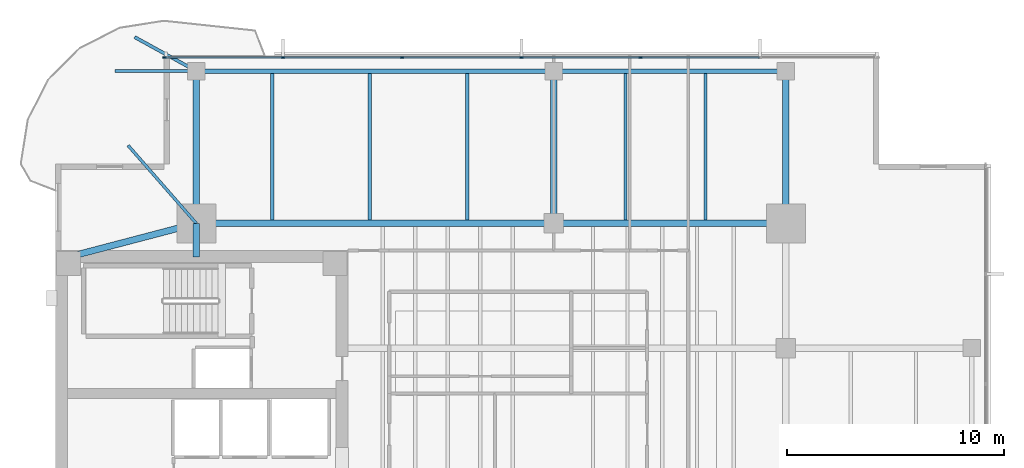
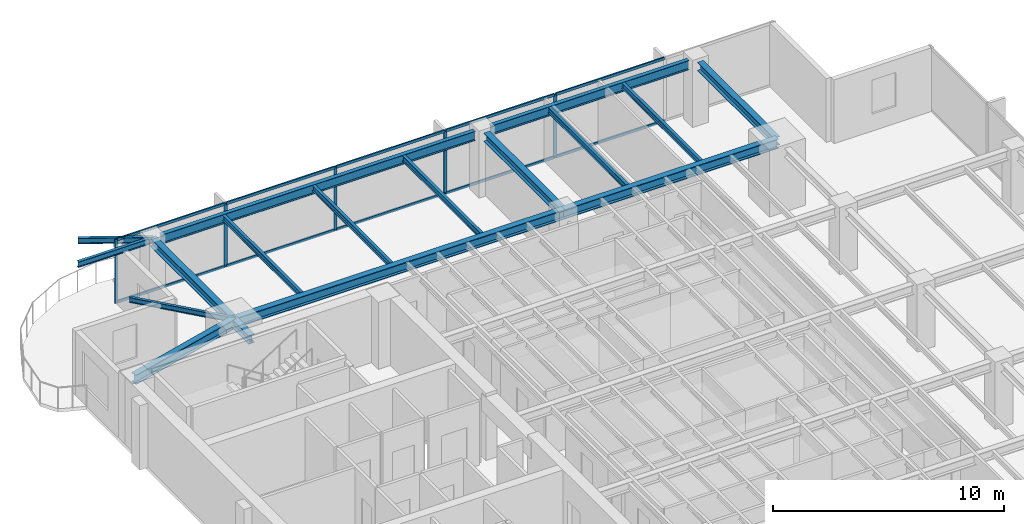
# One storey, part 5 of 14: 17 beams, 15 members, 1 element without a shape of its own.
"""IFC4 building model written with IfcOpenShell, lengths in metres."""

from ifc_helpers import new_model, si_unit, direction, frame, origin, origin_2d, place, context, subcontext, project, spatial, rectangle, i_section, extrude, material, layer, layer_set, material_profile, profile_set, type_object, element, aggregate, save


model = new_model("IFC4")

# Units and contexts
model_context = context("Model", 3, precision=1e-05, world=origin(), true_north=direction((0.0, 1.0)))
body_context = subcontext(model_context, "Body", "Model", "MODEL_VIEW")
ifc_project = project(units=[si_unit("LENGTHUNIT", "METRE"), si_unit("AREAUNIT", "SQUARE_METRE"), si_unit("VOLUMEUNIT", "CUBIC_METRE"), si_unit("PLANEANGLEUNIT", "RADIAN"), si_unit("MASSUNIT", "GRAM", prefix="KILO")], contexts=[model_context])

# Site, building, storey
site_placement = place(None, origin())
site = spatial("IfcSite", under=ifc_project, at=site_placement, CompositionType="ELEMENT")
building_placement = place(site_placement, origin())
building = spatial("IfcBuilding", under=site, at=building_placement, Name="Kinhvarn Gate Tower", CompositionType="ELEMENT")
storey_placement = place(building_placement, frame((0.0, 0.0, 212.89990234375)))
storey = spatial("IfcBuildingStorey", under=building, at=storey_placement, Name="L56", CompositionType="ELEMENT", Elevation=212.89990234375)

# Curtain wall, members
ifc_material_1 = material(Name="Anodised aluminium AW-6063", Category="aluminium")
ifc_layer = layer(ifc_material_1, 0.179931640625)
ifc_layer_set = layer_set([ifc_layer], Name="Anodised aluminium AW-6063")
curtain_wall_type = type_object("IfcCurtainWallType", Name="CW-SYS-3", PredefinedType="NOTDEFINED", material=ifc_layer_set)
curtain_wall_placement = place(storey_placement, origin())
curtain_wall = element("IfcCurtainWall", 1, at=curtain_wall_placement, inside=storey, type_object=curtain_wall_type, Name="Curtain Wall CW3 (L56)", PredefinedType="NOTDEFINED")
ifc_material_profile_1 = material_profile(ifc_material_1, rectangle(XDim=0.06494140625, YDim=0.159912109375, at=origin_2d()), Name="ALU 65x160")
ifc_profile_set_1 = profile_set([ifc_material_profile_1], Name="Anodised aluminium AW-6063")
member_type_1 = type_object("IfcMemberType", Name="CW-MUL-160", PredefinedType="MULLION", material=ifc_profile_set_1)
member_1_placement = place(storey_placement, frame((31.5, 45.409912109375, 0.0), z_axis=(0.0, 0.0, 1.0), x_axis=(0.0, -1.0, 0.0)))
member_1 = element("IfcMember", 2, at=member_1_placement, type_object=member_type_1, Name="CW3 mullion 3", PredefinedType="MULLION", context=body_context, shape_type="SweptSolid", body=[
    extrude(rectangle(XDim=0.06494140625, YDim=0.159912109375, at=origin_2d()), origin(), (0.0, 0.0, 1.0), 3.3701171875),
])
member_2_placement = place(storey_placement, frame((26.0, 45.409912109375, 0.0), z_axis=(0.0, 0.0, 1.0), x_axis=(0.0, -1.0, 0.0)))
member_2 = element("IfcMember", 3, at=member_2_placement, type_object=member_type_1, Name="CW3 mullion 4", PredefinedType="MULLION", context=body_context, shape_type="SweptSolid", body=[
    extrude(rectangle(XDim=0.06494140625, YDim=0.159912109375, at=origin_2d()), origin(), (0.0, 0.0, 1.0), 3.3701171875),
])
member_3_placement = place(storey_placement, frame((20.5, 45.409912109375, 0.0), z_axis=(0.0, 0.0, 1.0), x_axis=(0.0, -1.0, 0.0)))
member_3 = element("IfcMember", 4, at=member_3_placement, type_object=member_type_1, Name="CW3 mullion 5", PredefinedType="MULLION", context=body_context, shape_type="SweptSolid", body=[
    extrude(rectangle(XDim=0.06494140625, YDim=0.159912109375, at=origin_2d()), origin(), (0.0, 0.0, 1.0), 3.3701171875),
])
member_4_placement = place(storey_placement, frame((15.0, 45.409912109375, 0.0), z_axis=(0.0, 0.0, 1.0), x_axis=(0.0, -1.0, 0.0)))
member_4 = element("IfcMember", 5, at=member_4_placement, type_object=member_type_1, Name="CW3 mullion 6", PredefinedType="MULLION", context=body_context, shape_type="SweptSolid", body=[
    extrude(rectangle(XDim=0.06494140625, YDim=0.159912109375, at=origin_2d()), origin(), (0.0, 0.0, 1.0), 3.3701171875),
])
member_5_placement = place(storey_placement, frame((9.532470703125, 45.409912109375, 0.0), z_axis=(0.0, 0.0, 1.0), x_axis=(0.0, -1.0, 0.0)))
member_5 = element("IfcMember", 6, at=member_5_placement, type_object=member_type_1, Name="CW3 mullion 7", PredefinedType="MULLION", context=body_context, shape_type="SweptSolid", body=[
    extrude(rectangle(XDim=0.06494140625, YDim=0.159912109375, at=origin_2d()), origin(), (0.0, 0.0, 1.0), 3.3701171875),
])
ifc_material_profile_2 = material_profile(ifc_material_1, rectangle(XDim=0.070068359375, YDim=0.139892578125, at=origin_2d()), Name="ALU 70x140")
ifc_profile_set_2 = profile_set([ifc_material_profile_2], Name="Anodised aluminium AW-6063")
member_type_2 = type_object("IfcMemberType", Name="CW-TRN-140", PredefinedType="USERDEFINED", material=ifc_profile_set_2)
member_6_placement = place(storey_placement, frame((36.967529296875, 45.409912109375, 0.03515625), z_axis=(-1.0, 0.0, 0.0), x_axis=(0.0, -1.0, 0.0)))
member_6 = element("IfcMember", 7, at=member_6_placement, type_object=member_type_2, Name="CW3 transom 2.1", ObjectType="TRANSOM", PredefinedType="USERDEFINED", context=body_context, shape_type="SweptSolid", body=[
    extrude(rectangle(XDim=0.070068359375, YDim=0.139892578125, at=origin_2d()), origin(), (0.0, 0.0, 1.0), 5.43505859375),
])
member_7_placement = place(storey_placement, frame((36.967529296875, 45.409912109375, 3.335205078125), z_axis=(-1.0, 0.0, 0.0), x_axis=(0.0, -1.0, 0.0)))
member_7 = element("IfcMember", 8, at=member_7_placement, type_object=member_type_2, Name="CW3 transom 2.2", ObjectType="TRANSOM", PredefinedType="USERDEFINED", context=body_context, shape_type="SweptSolid", body=[
    extrude(rectangle(XDim=0.070068359375, YDim=0.139892578125, at=origin_2d()), origin(), (0.0, 0.0, 1.0), 5.43505859375),
])
member_8_placement = place(storey_placement, frame((31.467529296875, 45.409912109375, 0.03515625), z_axis=(-1.0, 0.0, 0.0), x_axis=(0.0, -1.0, 0.0)))
member_8 = element("IfcMember", 9, at=member_8_placement, type_object=member_type_2, Name="CW3 transom 3.1", ObjectType="TRANSOM", PredefinedType="USERDEFINED", context=body_context, shape_type="SweptSolid", body=[
    extrude(rectangle(XDim=0.070068359375, YDim=0.139892578125, at=origin_2d()), origin(), (0.0, 0.0, 1.0), 5.43505859375),
])
member_9_placement = place(storey_placement, frame((31.467529296875, 45.409912109375, 3.335205078125), z_axis=(-1.0, 0.0, 0.0), x_axis=(0.0, -1.0, 0.0)))
member_9 = element("IfcMember", 10, at=member_9_placement, type_object=member_type_2, Name="CW3 transom 3.2", ObjectType="TRANSOM", PredefinedType="USERDEFINED", context=body_context, shape_type="SweptSolid", body=[
    extrude(rectangle(XDim=0.070068359375, YDim=0.139892578125, at=origin_2d()), origin(), (0.0, 0.0, 1.0), 5.43505859375),
])
member_10_placement = place(storey_placement, frame((25.967529296875, 45.409912109375, 0.03515625), z_axis=(-1.0, 0.0, 0.0), x_axis=(0.0, -1.0, 0.0)))
member_10 = element("IfcMember", 11, at=member_10_placement, type_object=member_type_2, Name="CW3 transom 4.1", ObjectType="TRANSOM", PredefinedType="USERDEFINED", context=body_context, shape_type="SweptSolid", body=[
    extrude(rectangle(XDim=0.070068359375, YDim=0.139892578125, at=origin_2d()), origin(), (0.0, 0.0, 1.0), 5.43505859375),
])
member_11_placement = place(storey_placement, frame((25.967529296875, 45.409912109375, 3.335205078125), z_axis=(-1.0, 0.0, 0.0), x_axis=(0.0, -1.0, 0.0)))
member_11 = element("IfcMember", 12, at=member_11_placement, type_object=member_type_2, Name="CW3 transom 4.2", ObjectType="TRANSOM", PredefinedType="USERDEFINED", context=body_context, shape_type="SweptSolid", body=[
    extrude(rectangle(XDim=0.070068359375, YDim=0.139892578125, at=origin_2d()), origin(), (0.0, 0.0, 1.0), 5.43505859375),
])
member_12_placement = place(storey_placement, frame((20.467529296875, 45.409912109375, 0.03515625), z_axis=(-1.0, 0.0, 0.0), x_axis=(0.0, -1.0, 0.0)))
member_12 = element("IfcMember", 13, at=member_12_placement, type_object=member_type_2, Name="CW3 transom 5.1", ObjectType="TRANSOM", PredefinedType="USERDEFINED", context=body_context, shape_type="SweptSolid", body=[
    extrude(rectangle(XDim=0.070068359375, YDim=0.139892578125, at=origin_2d()), origin(), (0.0, 0.0, 1.0), 5.43505859375),
])
member_13_placement = place(storey_placement, frame((20.467529296875, 45.409912109375, 3.335205078125), z_axis=(-1.0, 0.0, 0.0), x_axis=(0.0, -1.0, 0.0)))
member_13 = element("IfcMember", 14, at=member_13_placement, type_object=member_type_2, Name="CW3 transom 5.2", ObjectType="TRANSOM", PredefinedType="USERDEFINED", context=body_context, shape_type="SweptSolid", body=[
    extrude(rectangle(XDim=0.070068359375, YDim=0.139892578125, at=origin_2d()), origin(), (0.0, 0.0, 1.0), 5.43505859375),
])
member_14_placement = place(storey_placement, frame((14.967529296875, 45.409912109375, 0.03515625), z_axis=(-1.0, 0.0, 0.0), x_axis=(0.0, -1.0, 0.0)))
member_14 = element("IfcMember", 15, at=member_14_placement, type_object=member_type_2, Name="CW3 transom 6.1", ObjectType="TRANSOM", PredefinedType="USERDEFINED", context=body_context, shape_type="SweptSolid", body=[
    extrude(rectangle(XDim=0.070068359375, YDim=0.139892578125, at=origin_2d()), origin(), (0.0, 0.0, 1.0), 5.402587890625),
])
member_15_placement = place(storey_placement, frame((14.967529296875, 45.409912109375, 3.335205078125), z_axis=(-1.0, 0.0, 0.0), x_axis=(0.0, -1.0, 0.0)))
member_15 = element("IfcMember", 16, at=member_15_placement, type_object=member_type_2, Name="CW3 transom 6.2", ObjectType="TRANSOM", PredefinedType="USERDEFINED", context=body_context, shape_type="SweptSolid", body=[
    extrude(rectangle(XDim=0.070068359375, YDim=0.139892578125, at=origin_2d()), origin(), (0.0, 0.0, 1.0), 5.402587890625),
])
aggregate(curtain_wall, [member_1, member_2, member_3, member_4, member_5, member_6, member_7, member_8, member_9, member_10, member_11, member_12, member_13, member_14, member_15])

# Beams
ifc_material_2 = material(Name="Steel S355", Category="steel")
ifc_material_profile_3 = material_profile(ifc_material_2, i_section(OverallWidth=0.300048828125, OverallDepth=0.449951171875, WebThickness=0.013916015625, FlangeThickness=0.02587890625, at=origin_2d()), Name="HEB 450")
ifc_profile_set_3 = profile_set([ifc_material_profile_3], Name="Steel S355")
beam_type_1 = type_object("IfcBeamType", Name="STL-HEB450", PredefinedType="BEAM", material=ifc_profile_set_3)
beam_1_placement = place(storey_placement, frame((11.0, 36.199951171875, 3.14501953125), z_axis=(0.0, 1.0, 0.0), x_axis=(-1.0, 0.0, 0.0)))
element("IfcBeam", 17, at=beam_1_placement, inside=storey, type_object=beam_type_1, Name="Floor Beam PG-13 (L56 MCW-CN)", PredefinedType="BEAM", context=body_context, shape_type="SweptSolid", body=[
    extrude(i_section(OverallWidth=0.300048828125, OverallDepth=0.449951171875, WebThickness=0.013916015625, FlangeThickness=0.02587890625, at=origin_2d()), origin(), (0.0, 0.0, 1.0), 1.550048828125),
])
beam_2_placement = place(storey_placement, frame((11.0, 37.75, 3.14501953125), z_axis=(0.0, 1.0, 0.0), x_axis=(-1.0, 0.0, 0.0)))
element("IfcBeam", 18, at=beam_2_placement, inside=storey, type_object=beam_type_1, Name="Floor Beam PG-13 (L56 MCW-N)", PredefinedType="BEAM", context=body_context, shape_type="SweptSolid", body=[
    extrude(i_section(OverallWidth=0.300048828125, OverallDepth=0.449951171875, WebThickness=0.013916015625, FlangeThickness=0.02587890625, at=origin_2d()), origin(), (0.0, 0.0, 1.0), 7.030029296875),
])
for number, where, z_axis, x_axis, name in (
    (19, (27.5, 37.75, 3.14501953125), (0.0, 1.0, 0.0), (-1.0, 0.0, 0.0), "Floor Beam PG-13 (L56 SP27-N-TIE)"),
    (20, (38.199951171875, 37.75, 3.14501953125), (0.0, 1.0, 0.0), (-1.0, 0.0, 0.0), "Floor Beam PG-13 (L56 MCE-N)"),
):
    element("IfcBeam", number, at=place(storey_placement, frame(where, z_axis=z_axis, x_axis=x_axis)), inside=storey, type_object=beam_type_1, Name=name, PredefinedType="BEAM", context=body_context, shape_type="SweptSolid", body=[
        extrude(i_section(OverallWidth=0.300048828125, OverallDepth=0.449951171875, WebThickness=0.013916015625, FlangeThickness=0.02587890625, at=origin_2d()), origin(), (0.0, 0.0, 1.0), 6.64501953125),
    ])
ifc_material_profile_4 = material_profile(ifc_material_2, i_section(OverallWidth=0.300048828125, OverallDepth=0.5, WebThickness=0.014404296875, FlangeThickness=0.028076171875, at=origin_2d()), Name="HEB 500")
ifc_profile_set_4 = profile_set([ifc_material_profile_4], Name="Steel S355")
beam_type_2 = type_object("IfcBeamType", Name="STL-HEB500", PredefinedType="BEAM", material=ifc_profile_set_4)
beam_3_placement = place(storey_placement, frame((11.0, 37.75, 3.1201171875), z_axis=(1.0, 0.0, 0.0), x_axis=(0.0, 1.0, 0.0)))
element("IfcBeam", 21, at=beam_3_placement, inside=storey, type_object=beam_type_2, Name="Floor Beam PG-14 (L56 MG-N1)", PredefinedType="BEAM", context=body_context, shape_type="SweptSolid", body=[
    extrude(i_section(OverallWidth=0.300048828125, OverallDepth=0.5, WebThickness=0.014404296875, FlangeThickness=0.028076171875, at=origin_2d()), origin(), (0.0, 0.0, 1.0), 16.5),
])
beam_4_placement = place(storey_placement, frame((27.5, 37.75, 3.1201171875), z_axis=(1.0, 0.0, 0.0), x_axis=(0.0, 1.0, 0.0)))
element("IfcBeam", 22, at=beam_4_placement, inside=storey, type_object=beam_type_2, Name="Floor Beam PG-14 (L56 MG-N2)", PredefinedType="BEAM", context=body_context, shape_type="SweptSolid", body=[
    extrude(i_section(OverallWidth=0.300048828125, OverallDepth=0.5, WebThickness=0.014404296875, FlangeThickness=0.028076171875, at=origin_2d()), origin(), (0.0, 0.0, 1.0), 10.699951171875),
])
beam_5_placement = place(storey_placement, frame((5.10009765625, 36.199951171875, 3.1201171875), z_axis=(0.967177623957, 0.254101246979, 0.0), x_axis=(-0.254101246979, 0.967177623957, 0.0)))
element("IfcBeam", 23, at=beam_5_placement, inside=storey, type_object=beam_type_2, Name="Floor Beam PG-14 (L56 MG-NW-DIAG)", PredefinedType="BEAM", context=body_context, shape_type="SweptSolid", body=[
    extrude(i_section(OverallWidth=0.300048828125, OverallDepth=0.5, WebThickness=0.014404296875, FlangeThickness=0.028076171875, at=origin_2d()), origin(), (0.0, 0.0, 1.0), 6.10009765625),
])
ifc_material_profile_5 = material_profile(ifc_material_2, i_section(OverallWidth=0.135009765625, OverallDepth=0.27001953125, WebThickness=0.006591796875, FlangeThickness=0.01025390625, at=origin_2d()), Name="IPE 270")
ifc_profile_set_5 = profile_set([ifc_material_profile_5], Name="Steel S355")
beam_type_3 = type_object("IfcBeamType", Name="STL-IPE270", PredefinedType="JOIST", material=ifc_profile_set_5)
beam_6_placement = place(storey_placement, frame((11.0, 37.75, 3.235107421875), z_axis=(-0.658482928045, 0.752595664001, 0.0), x_axis=(-0.752595664001, -0.658482928045, 0.0)))
element("IfcBeam", 24, at=beam_6_placement, inside=storey, type_object=beam_type_3, Name="Floor Joist SB-01 (L56 BAL-B3-L57)", PredefinedType="JOIST", context=body_context, shape_type="SweptSolid", body=[
    extrude(i_section(OverallWidth=0.135009765625, OverallDepth=0.27001953125, WebThickness=0.006591796875, FlangeThickness=0.01025390625, at=origin_2d()), origin(), (0.0, 0.0, 1.0), 4.78369140625),
])
ifc_material_profile_6 = material_profile(ifc_material_2, i_section(OverallWidth=0.14990234375, OverallDepth=0.300048828125, WebThickness=0.007080078125, FlangeThickness=0.0107421875, at=origin_2d()), Name="IPE 300")
ifc_profile_set_6 = profile_set([ifc_material_profile_6], Name="Steel S355")
beam_type_4 = type_object("IfcBeamType", Name="STL-IPE300", PredefinedType="JOIST", material=ifc_profile_set_6)
for number, where, z_axis, x_axis, name in (
    (25, (14.5, 37.89990234375, 3.22021484375), (0.0, 1.0, 0.0), (-1.0, 0.0, 0.0), "Floor Joist SB-02 (L56 JN-X145)"),
    (26, (19.0, 37.89990234375, 3.22021484375), (0.0, 1.0, 0.0), (-1.0, 0.0, 0.0), "Floor Joist SB-02 (L56 JN-X190)"),
    (27, (23.5, 37.89990234375, 3.22021484375), (0.0, 1.0, 0.0), (-1.0, 0.0, 0.0), "Floor Joist SB-02 (L56 JN-X235)"),
    (28, (30.800048828125, 37.89990234375, 3.22021484375), (0.0, 1.0, 0.0), (-1.0, 0.0, 0.0), "Floor Joist SB-02 (L56 JN-X308)"),
    (29, (34.5, 37.89990234375, 3.22021484375), (0.0, 1.0, 0.0), (-1.0, 0.0, 0.0), "Floor Joist SB-02 (L56 JN-X345)"),
):
    element("IfcBeam", number, at=place(storey_placement, frame(where, z_axis=z_axis, x_axis=x_axis)), inside=storey, type_object=beam_type_4, Name=name, PredefinedType="JOIST", context=body_context, shape_type="SweptSolid", body=[
        extrude(i_section(OverallWidth=0.14990234375, OverallDepth=0.300048828125, WebThickness=0.007080078125, FlangeThickness=0.0107421875, at=origin_2d()), origin(), (0.0, 0.0, 1.0), 6.780029296875),
    ])
beam_7_placement = place(storey_placement, frame((11.0, 44.780029296875, 3.22021484375), z_axis=(-1.0, 0.0, 0.0), x_axis=(0.0, -1.0, 0.0)))
element("IfcBeam", 30, at=beam_7_placement, inside=storey, type_object=beam_type_4, Name="Floor Joist SB-02 (L56 BAL-B1-L57)", PredefinedType="JOIST", context=body_context, shape_type="SweptSolid", body=[
    extrude(i_section(OverallWidth=0.14990234375, OverallDepth=0.300048828125, WebThickness=0.007080078125, FlangeThickness=0.0107421875, at=origin_2d()), origin(), (0.0, 0.0, 1.0), 3.75),
])
beam_8_placement = place(storey_placement, frame((11.0, 44.780029296875, 3.22021484375), z_axis=(-0.875889381738, 0.482511959394, 0.0), x_axis=(-0.482511959394, -0.875889381738, 0.0)))
element("IfcBeam", 31, at=beam_8_placement, inside=storey, type_object=beam_type_4, Name="Floor Joist SB-02 (L56 BAL-B2-L57)", PredefinedType="JOIST", context=body_context, shape_type="SweptSolid", body=[
    extrude(i_section(OverallWidth=0.14990234375, OverallDepth=0.300048828125, WebThickness=0.007080078125, FlangeThickness=0.0107421875, at=origin_2d()), origin(), (0.0, 0.0, 1.0), 3.25390625),
])
ifc_material_profile_7 = material_profile(ifc_material_2, i_section(OverallWidth=0.199951171875, OverallDepth=0.5, WebThickness=0.01025390625, FlangeThickness=0.01611328125, at=origin_2d()), Name="IPE 500")
ifc_profile_set_7 = profile_set([ifc_material_profile_7], Name="Steel S355")
beam_type_5 = type_object("IfcBeamType", Name="STL-IPE500", PredefinedType="SPANDREL", material=ifc_profile_set_7)
beam_9_placement = place(storey_placement, frame((11.385009765625, 44.780029296875, 3.1201171875), z_axis=(1.0, 0.0, 0.0), x_axis=(0.0, 1.0, 0.0)))
element("IfcBeam", 32, at=beam_9_placement, inside=storey, type_object=beam_type_5, Name="Floor Spandrel SB-07 (L56 SP-N1)", PredefinedType="SPANDREL", context=body_context, shape_type="SweptSolid", body=[
    extrude(i_section(OverallWidth=0.199951171875, OverallDepth=0.5, WebThickness=0.01025390625, FlangeThickness=0.01611328125, at=origin_2d()), origin(), (0.0, 0.0, 1.0), 15.72998046875),
])
beam_10_placement = place(storey_placement, frame((27.885009765625, 44.780029296875, 3.1201171875), z_axis=(1.0, 0.0, 0.0), x_axis=(0.0, 1.0, 0.0)))
element("IfcBeam", 33, at=beam_10_placement, inside=storey, type_object=beam_type_5, Name="Floor Spandrel SB-07 (L56 SP-N2)", PredefinedType="SPANDREL", context=body_context, shape_type="SweptSolid", body=[
    extrude(i_section(OverallWidth=0.199951171875, OverallDepth=0.5, WebThickness=0.01025390625, FlangeThickness=0.01611328125, at=origin_2d()), origin(), (0.0, 0.0, 1.0), 9.929931640625),
])

save(model, "model.ifc")
